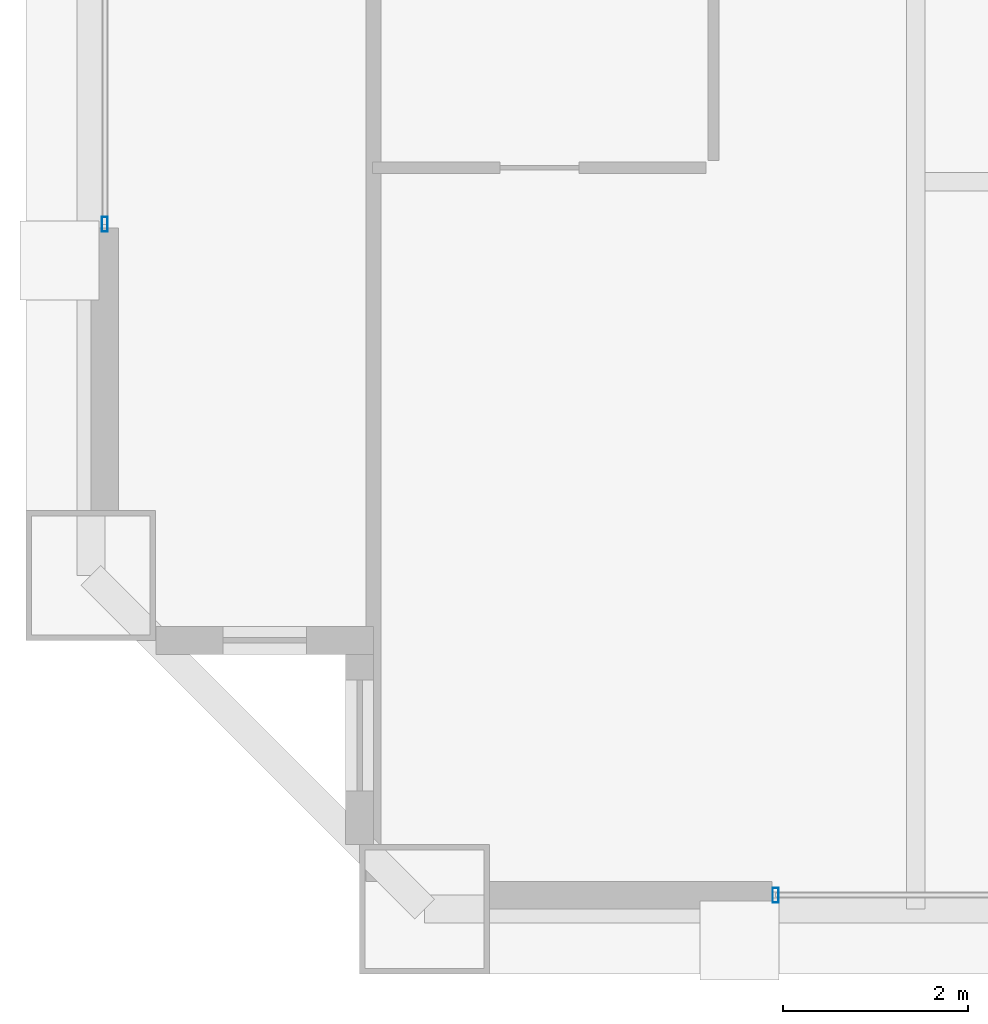
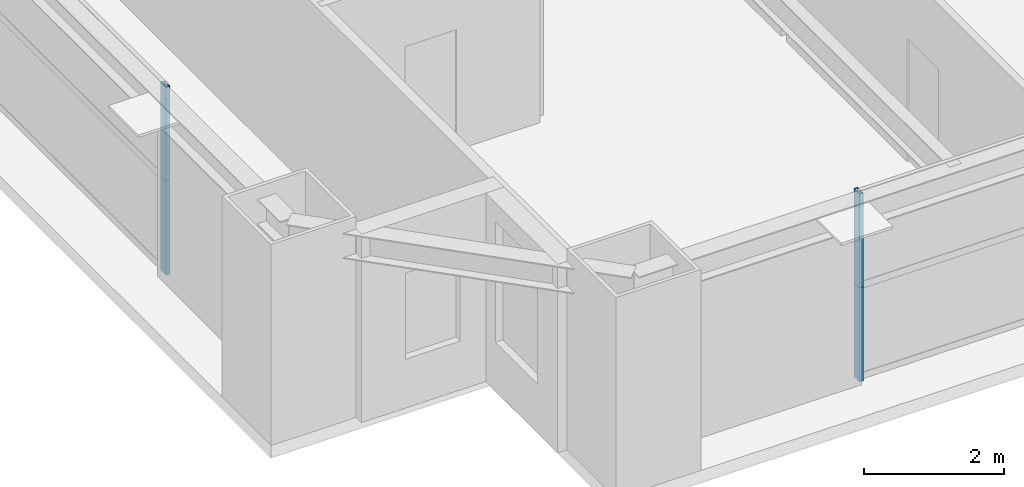
# One storey, part 4 of 38: 4 members, 2 elements without a shape of their own.
"""IFC4 building model written with IfcOpenShell, lengths in metres."""

from ifc_helpers import new_model, si_unit, direction, frame, origin, origin_2d, place, context, subcontext, project, spatial, hollow_rectangle, extrude, source, transform, mapped, material, layer, layer_set, material_profile, profile_set, type_object, element, aggregate, save


model = new_model("IFC4")

# Units and contexts
model_context = context("Model", 3, precision=1e-05, world=origin(), true_north=direction((0.0, 1.0)))
body_context = subcontext(model_context, "Body", "Model", "MODEL_VIEW")
ifc_project = project(units=[si_unit("LENGTHUNIT", "METRE"), si_unit("AREAUNIT", "SQUARE_METRE"), si_unit("VOLUMEUNIT", "CUBIC_METRE"), si_unit("PLANEANGLEUNIT", "RADIAN"), si_unit("MASSUNIT", "GRAM", prefix="KILO"), si_unit("THERMODYNAMICTEMPERATUREUNIT", "KELVIN"), si_unit("POWERUNIT", "WATT")], contexts=[model_context])

# Site, building, storey
site_placement = place(None, origin())
site = spatial("IfcSite", under=ifc_project, at=site_placement, CompositionType="ELEMENT")
building_placement = place(site_placement, origin())
building = spatial("IfcBuilding", under=site, at=building_placement, Name="Yuzanri Waterfront Tower", CompositionType="ELEMENT")
storey_placement = place(building_placement, frame((0.0, 0.0, 202.0)))
storey = spatial("IfcBuildingStorey", under=building, at=storey_placement, Name="L53", CompositionType="ELEMENT", Elevation=202.0)

# Curtain wall, members
ifc_material_1 = material(Name="Anodized Architectural Bronze", Category="metal")
ifc_layer = layer(ifc_material_1, 0.159912109375)
ifc_layer_set = layer_set([ifc_layer], Name="Anodized Architectural Bronze")
curtain_wall_type = type_object("IfcCurtainWallType", Name="Anodized Bronze Mid-Rise Residential Acoustic Unitized Curtain Wall 7200", PredefinedType="NOTDEFINED", material=ifc_layer_set)
curtain_wall_1_placement = place(storey_placement, origin())
curtain_wall_1 = element("IfcCurtainWall", 1, at=curtain_wall_1_placement, inside=storey, type_object=curtain_wall_type, Name="L53 Curtain Wall CW-L53-SL", PredefinedType="NOTDEFINED")
ifc_material_2 = material(Name="Anodized Architectural Bronze", Category="metal")
ifc_material_profile = material_profile(ifc_material_2, hollow_rectangle(XDim=0.06494140625, YDim=0.159912109375, WallThickness=0.00341796875, at=origin_2d()), Name="CWM 65x160")
ifc_profile_set = profile_set([ifc_material_profile], Name="Anodized Architectural Bronze")
member_type = type_object("IfcMemberType", Name="Anodized Bronze Upper-Zone Curtain-Wall Mullion 65x160", PredefinedType="MULLION", material=ifc_profile_set)
shared_shape = source(origin(), body_context, "Body", "SweptSolid", [
    extrude(hollow_rectangle(XDim=0.06494140625, YDim=0.159912109375, WallThickness=0.00341796875, at=origin_2d()), origin(), (0.0, 0.0, 1.0), 1.637939453125),
])
member_1_placement = place(storey_placement, frame((22.2900390625, 3.85009765625, 0.0), z_axis=(0.0, 0.0, 1.0), x_axis=(1.0, 0.0, 0.0)))
member_1 = element("IfcMember", 2, at=member_1_placement, type_object=member_type, Name="CW-L53-SL Lower Mullion 00", PredefinedType="MULLION", context=body_context, shape_type="MappedRepresentation", body=[
    mapped(shared_shape, transform((0.0, 0.0, 0.0), scale=1.0)),
])
member_2_placement = place(storey_placement, frame((22.2900390625, 3.85009765625, 1.64208984375), z_axis=(0.0, 0.0, 1.0), x_axis=(1.0, 0.0, 0.0)))
member_2 = element("IfcMember", 3, at=member_2_placement, type_object=member_type, Name="CW-L53-SL Upper Mullion 00", PredefinedType="MULLION", context=body_context, shape_type="MappedRepresentation", body=[
    mapped(shared_shape, transform((0.0, 0.0, 0.0), scale=1.0)),
])
aggregate(curtain_wall_1, [member_1, member_2])

curtain_wall_2_placement = place(storey_placement, origin())
curtain_wall_2 = element("IfcCurtainWall", 4, at=curtain_wall_2_placement, inside=storey, type_object=curtain_wall_type, Name="L53 Curtain Wall CW-L53-WL", PredefinedType="NOTDEFINED")
member_3_placement = place(storey_placement, frame((15.050048828125, 11.090087890625, 0.0), z_axis=(0.0, 0.0, 1.0), x_axis=(1.0, 0.0, 0.0)))
member_3 = element("IfcMember", 5, at=member_3_placement, type_object=member_type, Name="CW-L53-WL Lower Mullion 00", PredefinedType="MULLION", context=body_context, shape_type="MappedRepresentation", body=[
    mapped(shared_shape, transform((0.0, 0.0, 0.0), scale=1.0)),
])
member_4_placement = place(storey_placement, frame((15.050048828125, 11.090087890625, 1.64208984375), z_axis=(0.0, 0.0, 1.0), x_axis=(1.0, 0.0, 0.0)))
member_4 = element("IfcMember", 6, at=member_4_placement, type_object=member_type, Name="CW-L53-WL Upper Mullion 00", PredefinedType="MULLION", context=body_context, shape_type="MappedRepresentation", body=[
    mapped(shared_shape, transform((0.0, 0.0, 0.0), scale=1.0)),
])
aggregate(curtain_wall_2, [member_3, member_4])

save(model, "model.ifc")
